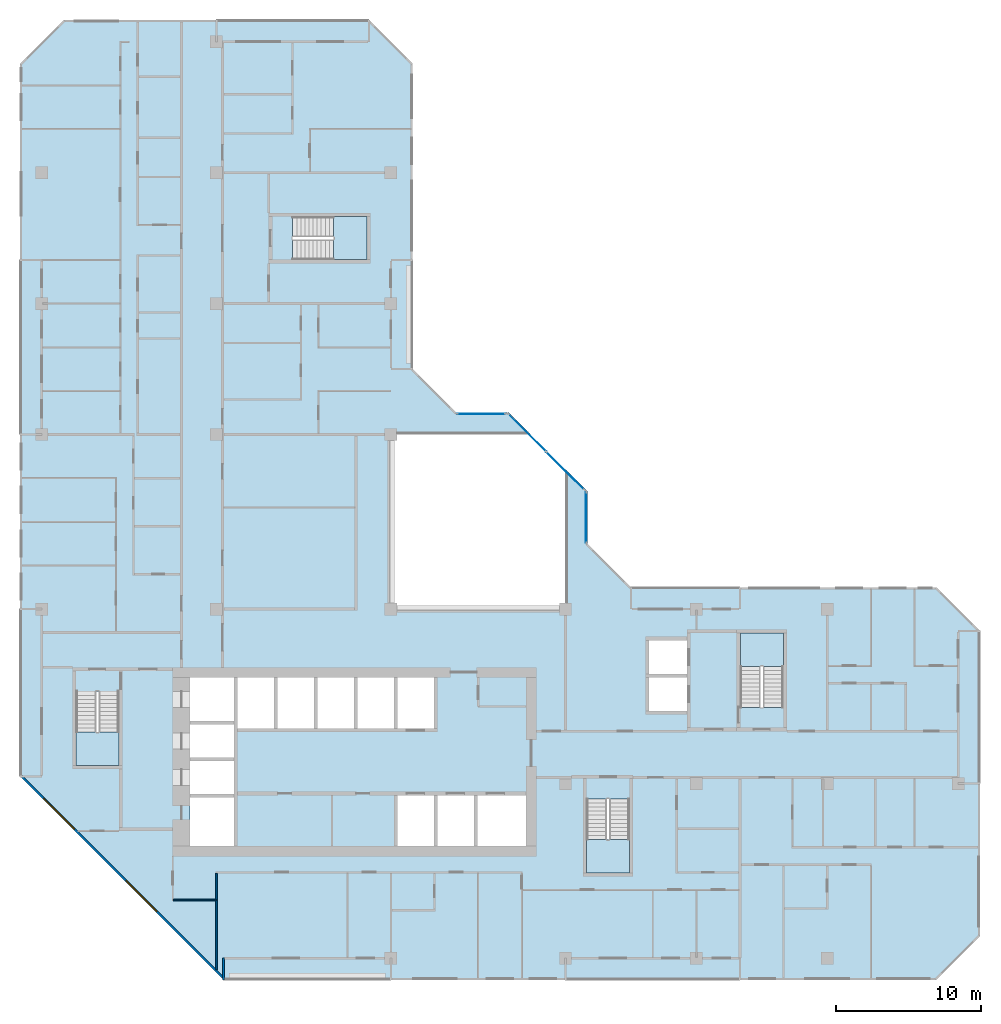
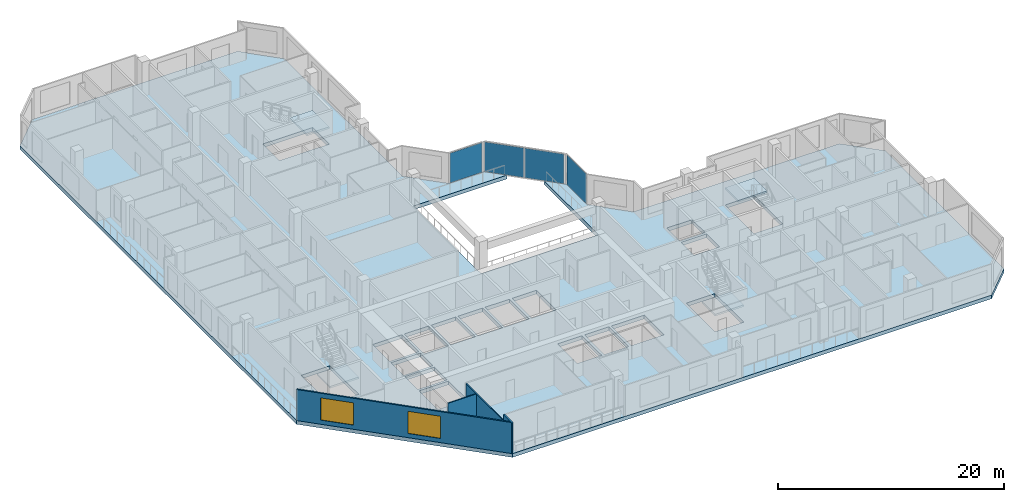
# One storey, part 3 of 15: 5 slabs, 4 plates, 4 walls, 2 windows, 2 openings, 7 elements without a shape of their own.
"""IFC4 building model written with IfcOpenShell, lengths in metres."""

from ifc_helpers import new_model, si_unit, direction, frame, frame_2d, origin, origin_2d, place, context, subcontext, project, spatial, polyline, rectangle, outline, extrude, material, layer, layer_set, type_object, element, fill, aggregate, save


model = new_model("IFC4")

# Units and contexts
model_context = context("Model", 3, precision=1e-05, world=origin(), true_north=direction((0.0, 1.0)))
body_context = subcontext(model_context, "Body", "Model", "MODEL_VIEW")
ifc_project = project(units=[si_unit("LENGTHUNIT", "METRE"), si_unit("AREAUNIT", "SQUARE_METRE"), si_unit("VOLUMEUNIT", "CUBIC_METRE"), si_unit("PLANEANGLEUNIT", "RADIAN"), si_unit("MASSUNIT", "GRAM", prefix="KILO")], contexts=[model_context])

# Site, building, storey
site_placement = place(None, origin())
site = spatial("IfcSite", under=ifc_project, at=site_placement, CompositionType="ELEMENT")
building_placement = place(site_placement, origin())
building = spatial("IfcBuilding", under=site, at=building_placement, Name="Chenar Terraces", CompositionType="ELEMENT")
storey_placement = place(building_placement, frame((0.0, 0.0, 249.14990234375)))
storey = spatial("IfcBuildingStorey", under=building, at=storey_placement, Name="L59", CompositionType="ELEMENT", Elevation=249.14990234375)

# Curtain wall, plate
ifc_material_1 = material(Name="Aluminium framed glazing", Category="aluminium")
ifc_layer_1 = layer(ifc_material_1, 0.14990234375)
ifc_layer_set_1 = layer_set([ifc_layer_1], Name="Aluminium framed glazing")
curtain_wall_type = type_object("IfcCurtainWallType", Name="Atrium mid-zone curtain wall", PredefinedType="NOTDEFINED", material=ifc_layer_set_1)
placement_1 = place(storey_placement, origin())
curtain_wall_1 = element("IfcCurtainWall", 1, at=placement_1, inside=storey, type_object=curtain_wall_type, Name="Atrium mid-zone curtain wall", PredefinedType="NOTDEFINED")
ifc_material_2 = material(Name="Low emissivity laminated glass, solar control coating", Category="glass")
ifc_layer_2 = layer(ifc_material_2, 0.031982421875)
ifc_layer_set_2 = layer_set([ifc_layer_2], Name="Low emissivity laminated glass, solar control coating")
plate_type = type_object("IfcPlateType", Name="Atrium mid-zone glazing panel 32", PredefinedType="CURTAIN_PANEL", material=ifc_layer_set_2)
plate_1_placement = place(storey_placement, frame((37.425048828125, 30.300048828125, 0.070068359375), z_axis=(0.0, 0.0, 1.0), x_axis=(0.0, 1.0, 0.0)))
plate_1 = element("IfcPlate", 2, at=plate_1_placement, type_object=plate_type, Name="CW7-1 panel 1.1", PredefinedType="CURTAIN_PANEL", context=body_context, shape_type="SweptSolid", body=[
    extrude(rectangle(XDim=3.4599609375, YDim=0.031982421875, at=origin_2d()), origin(), (0.0, 0.0, 1.0), 3.2099609375),
])
aggregate(curtain_wall_1, [plate_1])

# Curtain wall, plates
curtain_wall_2 = element("IfcCurtainWall", 3, at=placement_1, inside=storey, type_object=curtain_wall_type, Name="Atrium mid-zone curtain wall", PredefinedType="NOTDEFINED")
plate_2_placement = place(storey_placement, frame((35.978515625, 33.515380859375, 0.070068359375), z_axis=(0.0, 0.0, 1.0), x_axis=(-0.707106781187, 0.707106781187, 0.0)))
plate_2 = element("IfcPlate", 4, at=plate_2_placement, type_object=plate_type, Name="CW7-2 panel 1.1", PredefinedType="CURTAIN_PANEL", context=body_context, shape_type="SweptSolid", body=[
    extrude(rectangle(XDim=3.61328125, YDim=0.031982421875, at=origin_2d()), origin(), (0.0, 0.0, 1.0), 3.2099609375),
])
plate_3_placement = place(storey_placement, frame((33.3740234375, 36.119873046875, 0.070068359375), z_axis=(0.0, 0.0, 1.0), x_axis=(-0.707106781187, 0.707106781187, 0.0)))
plate_3 = element("IfcPlate", 5, at=plate_3_placement, type_object=plate_type, Name="CW7-2 panel 2.1", PredefinedType="CURTAIN_PANEL", context=body_context, shape_type="SweptSolid", body=[
    extrude(rectangle(XDim=3.61328125, YDim=0.031982421875, at=origin_2d()), origin(), (0.0, 0.0, 1.0), 3.2099609375),
])
aggregate(curtain_wall_2, [plate_2, plate_3])

# Curtain wall, plate
curtain_wall_3 = element("IfcCurtainWall", 6, at=placement_1, inside=storey, type_object=curtain_wall_type, Name="Atrium mid-zone curtain wall", PredefinedType="NOTDEFINED")
plate_4_placement = place(storey_placement, frame((30.199951171875, 37.425048828125, 0.070068359375), z_axis=(0.0, 0.0, 1.0), x_axis=(-1.0, 0.0, 0.0)))
plate_4 = element("IfcPlate", 7, at=plate_4_placement, type_object=plate_type, Name="CW7-3 panel 1.1", PredefinedType="CURTAIN_PANEL", context=body_context, shape_type="SweptSolid", body=[
    extrude(rectangle(XDim=3.260009765625, YDim=0.031982421875, at=origin_2d()), origin(), (0.0, 0.0, 1.0), 3.2099609375),
])
aggregate(curtain_wall_3, [plate_4])

# Stair, slab
ifc_material_3 = material(Name="Reinforced concrete C40/50", Category="concrete")
stair_type = type_object("IfcStairType", Name="Core stair 1400 half-turn", PredefinedType="HALF_TURN_STAIR", material=ifc_material_3)
stair_1 = element("IfcStair", 8, at=placement_1, inside=storey, type_object=stair_type, Name="L59 Stair 1", PredefinedType="HALF_TURN_STAIR")
ifc_material_4 = material(Name="Reinforced concrete C40/50", Category="concrete")
ifc_layer_3 = layer(ifc_material_4, 0.199951171875)
ifc_layer_set_3 = layer_set([ifc_layer_3], Name="Reinforced concrete C40/50")
slab_type_1 = type_object("IfcSlabType", Name="Core stair landing 200", PredefinedType="LANDING", material=ifc_layer_set_3)
placement_2 = place(storey_placement, frame((0.0, 0.0, 1.675048828125)))
slab_1 = element("IfcSlab", 9, at=placement_2, type_object=slab_type_1, Name="ST1 landing 1", PredefinedType="LANDING", context=body_context, shape_type="SweptSolid", body=[
    extrude(outline(polyline([(2.35009765625, 15.550048828125), (2.35009765625, 13.25), (5.300048828125, 13.25), (5.300048828125, 15.550048828125), (2.35009765625, 15.550048828125)])), origin(), (0.0, 0.0, 1.0), 0.199951171875),
])
aggregate(stair_1, [slab_1])

stair_2 = element("IfcStair", 10, at=placement_1, inside=storey, type_object=stair_type, Name="L59 Stair 2", PredefinedType="HALF_TURN_STAIR")
slab_2 = element("IfcSlab", 11, at=placement_2, type_object=slab_type_1, Name="ST2 landing 1", PredefinedType="LANDING", context=body_context, shape_type="SweptSolid", body=[
    extrude(outline(polyline([(37.449951171875, 8.14990234375), (37.449951171875, 5.85009765625), (40.39990234375, 5.85009765625), (40.39990234375, 8.14990234375), (37.449951171875, 8.14990234375)])), origin(), (0.0, 0.0, 1.0), 0.199951171875),
])
aggregate(stair_2, [slab_2])

stair_3 = element("IfcStair", 12, at=placement_1, inside=storey, type_object=stair_type, Name="L59 Stair 3", PredefinedType="HALF_TURN_STAIR")
slab_3 = element("IfcSlab", 13, at=placement_2, type_object=slab_type_1, Name="ST3 landing 1", PredefinedType="LANDING", context=body_context, shape_type="SweptSolid", body=[
    extrude(outline(polyline([(50.97509765625, 20.050048828125), (50.97509765625, 22.35009765625), (48.02490234375, 22.35009765625), (48.02490234375, 20.050048828125), (50.97509765625, 20.050048828125)])), origin(), (0.0, 0.0, 1.0), 0.199951171875),
])
aggregate(stair_3, [slab_3])

stair_4 = element("IfcStair", 14, at=placement_1, inside=storey, type_object=stair_type, Name="L59 Stair 4", PredefinedType="HALF_TURN_STAIR")
slab_4 = element("IfcSlab", 15, at=placement_2, type_object=slab_type_1, Name="ST4 landing 1", PredefinedType="LANDING", context=body_context, shape_type="SweptSolid", body=[
    extrude(outline(polyline([(20.050048828125, 48.02490234375), (22.35009765625, 48.02490234375), (22.35009765625, 50.97509765625), (20.050048828125, 50.97509765625), (20.050048828125, 48.02490234375)])), origin(), (0.0, 0.0, 1.0), 0.199951171875),
])
aggregate(stair_4, [slab_4])

# Slab
ifc_material_5 = material(Name="Concrete C40/50", Category="concrete")
ifc_layer_4 = layer(ifc_material_5, 0.39990234375)
ifc_layer_set_4 = layer_set([ifc_layer_4], Name="Concrete C40/50")
slab_type_2 = type_object("IfcSlabType", Name="Floor slab 400 Concrete C40/50", PredefinedType="FLOOR", material=ifc_layer_set_4)
slab_5_placement = place(storey_placement, frame((0.0, 0.0, -0.39990234375)))
element("IfcSlab", 16, at=slab_5_placement, inside=storey, type_object=slab_type_2, Name="Floor slab L59", PredefinedType="FLOOR", context=body_context, shape_type="SweptSolid", body=[
    extrude(outline(polyline([(64.5, 22.5), (64.5, 1.5), (61.5, -1.5), (12.5, -1.5), (-1.5, 12.5), (-1.5, 61.5), (1.5, 64.5), (22.5, 64.5), (25.5, 61.5), (25.5, 40.5), (28.5, 37.5), (32.10009765625, 37.5), (33.60009765625, 36.0), (24.0, 36.0), (24.0, 24.0), (36.0, 24.0), (36.0, 33.60009765625), (37.5, 32.10009765625), (37.5, 28.5), (40.5, 25.5), (61.5, 25.5), (64.5, 22.5)]), holes=[polyline([(13.199951171875, 11.050048828125), (10.199951171875, 11.050048828125), (10.199951171875, 7.699951171875), (13.199951171875, 7.699951171875), (13.199951171875, 11.050048828125)]), polyline([(13.199951171875, 13.550048828125), (10.199951171875, 13.550048828125), (10.199951171875, 11.300048828125), (13.199951171875, 11.300048828125), (13.199951171875, 13.550048828125)]), polyline([(13.199951171875, 16.050048828125), (10.199951171875, 16.050048828125), (10.199951171875, 13.800048828125), (13.199951171875, 13.800048828125), (13.199951171875, 16.050048828125)]), polyline([(2.35009765625, 13.25), (5.300048828125, 13.25), (5.300048828125, 18.35009765625), (2.35009765625, 18.35009765625), (2.35009765625, 13.25)]), polyline([(15.949951171875, 19.300048828125), (13.449951171875, 19.300048828125), (13.449951171875, 15.800048828125), (15.949951171875, 15.800048828125), (15.949951171875, 19.300048828125)]), polyline([(18.699951171875, 19.300048828125), (16.199951171875, 19.300048828125), (16.199951171875, 15.800048828125), (18.699951171875, 15.800048828125), (18.699951171875, 19.300048828125)]), polyline([(21.449951171875, 19.300048828125), (18.949951171875, 19.300048828125), (18.949951171875, 15.800048828125), (21.449951171875, 15.800048828125), (21.449951171875, 19.300048828125)]), polyline([(24.199951171875, 15.800048828125), (24.199951171875, 19.300048828125), (21.699951171875, 19.300048828125), (21.699951171875, 15.800048828125), (24.199951171875, 15.800048828125)]), polyline([(13.199951171875, 16.300048828125), (13.199951171875, 19.300048828125), (10.199951171875, 19.300048828125), (10.199951171875, 16.300048828125), (13.199951171875, 16.300048828125)]), polyline([(22.35009765625, 48.02490234375), (22.35009765625, 50.97509765625), (17.25, 50.97509765625), (17.25, 48.02490234375), (22.35009765625, 48.02490234375)]), polyline([(37.449951171875, 5.85009765625), (40.39990234375, 5.85009765625), (40.39990234375, 10.949951171875), (37.449951171875, 10.949951171875), (37.449951171875, 5.85009765625)]), polyline([(26.949951171875, 11.199951171875), (24.449951171875, 11.199951171875), (24.449951171875, 7.699951171875), (26.949951171875, 7.699951171875), (26.949951171875, 11.199951171875)]), polyline([(29.699951171875, 7.699951171875), (29.699951171875, 11.199951171875), (27.199951171875, 11.199951171875), (27.199951171875, 7.699951171875), (29.699951171875, 7.699951171875)]), polyline([(33.300048828125, 7.699951171875), (33.300048828125, 11.199951171875), (29.949951171875, 11.199951171875), (29.949951171875, 7.699951171875), (33.300048828125, 7.699951171875)]), polyline([(26.949951171875, 19.300048828125), (24.449951171875, 19.300048828125), (24.449951171875, 15.800048828125), (26.949951171875, 15.800048828125), (26.949951171875, 19.300048828125)]), polyline([(44.35009765625, 19.300048828125), (41.75, 19.300048828125), (41.75, 17.0), (44.35009765625, 17.0), (44.35009765625, 19.300048828125)]), polyline([(50.97509765625, 22.35009765625), (48.02490234375, 22.35009765625), (48.02490234375, 17.25), (50.97509765625, 17.25), (50.97509765625, 22.35009765625)]), polyline([(44.35009765625, 19.550048828125), (44.35009765625, 21.85009765625), (41.75, 21.85009765625), (41.75, 19.550048828125), (44.35009765625, 19.550048828125)])]), origin(), (0.0, 0.0, 1.0), 0.39990234375),
])

# Walls
ifc_material_6 = material(Name="Gypsum board on steel studs", Category="steel")
ifc_layer_5 = layer(ifc_material_6, 0.10009765625)
ifc_layer_set_5 = layer_set([ifc_layer_5], Name="Gypsum board on steel studs")
wall_type_1 = type_object("IfcWallType", Name="Gypsum partition 100", PredefinedType="PARTITIONING", material=ifc_layer_set_5)
wall_1_placement = place(storey_placement, frame((9.050048828125, 4.0, 0.0), z_axis=(0.0, 0.0, 1.0), x_axis=(1.0, 0.0, 0.0)))
element("IfcWall", 17, at=wall_1_placement, inside=storey, type_object=wall_type_1, Name="Partition L59-032", PredefinedType="PARTITIONING", context=body_context, shape_type="SweptSolid", body=[
    extrude(rectangle(XDim=2.89990234375, YDim=0.10009765625, at=frame_2d((1.449951171875, 0.0))), origin(), (0.0, 0.0, 1.0), 3.35009765625),
])
wall_2_placement = place(storey_placement, frame((12.0, -0.787841796875, 0.0), z_axis=(0.0, 0.0, 1.0), x_axis=(0.0, 1.0, 0.0)))
element("IfcWall", 18, at=wall_2_placement, inside=storey, type_object=wall_type_1, Name="Partition L59-035", PredefinedType="PARTITIONING", context=body_context, shape_type="SweptSolid", body=[
    extrude(rectangle(XDim=6.61279296875, YDim=0.10009765625, at=frame_2d((3.306396484375, 0.0))), origin(), (0.0, 0.0, 1.0), 3.35009765625),
])
ifc_material_7 = material(Name="Terracotta cladding on insulated backing", Category="masonry")
ifc_layer_6 = layer(ifc_material_7, 0.14990234375)
ifc_layer_set_6 = layer_set([ifc_layer_6], Name="Terracotta cladding on insulated backing")
wall_type_2 = type_object("IfcWallType", Name="Loggia return wall 150", PredefinedType="SOLIDWALL", material=ifc_layer_set_6)
wall_3_placement = place(storey_placement, frame((12.5, -1.5, 0.0), z_axis=(0.0, 0.0, 1.0), x_axis=(0.0, 1.0, 0.0)))
element("IfcWall", 19, at=wall_3_placement, inside=storey, type_object=wall_type_2, Name="Loggia return wall", PredefinedType="SOLIDWALL", context=body_context, shape_type="SweptSolid", body=[
    extrude(rectangle(XDim=1.5, YDim=0.14990234375, at=frame_2d((0.75, 0.0))), origin(), (0.0, 0.0, 1.0), 3.35009765625),
])

# Wall, openings, windows
ifc_material_8 = material(Name="Terracotta cladding on insulated backing", Category="masonry")
ifc_layer_7 = layer(ifc_material_8, 0.14990234375)
ifc_layer_set_7 = layer_set([ifc_layer_7], Name="Terracotta cladding on insulated backing")
wall_type_3 = type_object("IfcWallType", Name="Terracotta rainscreen wall 150", PredefinedType="SOLIDWALL", material=ifc_layer_set_7)
wall_4_placement = place(storey_placement, frame((-1.447021484375, 12.552978515625, 0.0), z_axis=(0.0, 0.0, 1.0), x_axis=(0.707106781187, -0.707106781187, 0.0)))
wall_4 = element("IfcWall", 20, at=wall_4_placement, inside=storey, type_object=wall_type_3, Name="Terracotta rainscreen wall", PredefinedType="SOLIDWALL", context=body_context, shape_type="SweptSolid", body=[
    extrude(rectangle(XDim=19.799072265625, YDim=0.14990234375, at=frame_2d((9.8994140625, 0.0))), origin(), (0.0, 0.0, 1.0), 3.35009765625),
])
opening_1_placement = place(wall_4_placement, frame((2.21240234375, 0.0, 0.449951171875)))
opening_1 = element("IfcOpeningElement", 21, at=opening_1_placement, cuts=wall_4, Name="Opening W300x240", PredefinedType="OPENING", context=body_context, shape_type="SweptSolid", body=[
    extrude(rectangle(XDim=3.0, YDim=2.39990234375, at=frame_2d((1.5, 1.199951171875))), frame((0.0, 0.0849609375, 0.0), z_axis=(0.0, -1.0, 0.0), x_axis=(1.0, 0.0, 0.0)), (0.0, 0.0, 1.0), 0.169921875),
])
opening_2_placement = place(wall_4_placement, frame((10.215576171875, 0.0, 0.449951171875)))
opening_2 = element("IfcOpeningElement", 22, at=opening_2_placement, cuts=wall_4, Name="Opening W300x240", PredefinedType="OPENING", context=body_context, shape_type="SweptSolid", body=[
    extrude(rectangle(XDim=3.0, YDim=2.39990234375, at=frame_2d((1.5, 1.199951171875))), frame((0.0, 0.0849609375, 0.0), z_axis=(0.0, -1.0, 0.0), x_axis=(1.0, 0.0, 0.0)), (0.0, 0.0, 1.0), 0.169921875),
])
ifc_material_9 = material(Name="Low emissivity double glazing, aluminium frame", Category="aluminium")
window_type = type_object("IfcWindowType", Name="Fixed light 3000 x 2400", PartitioningType="SINGLE_PANEL", PredefinedType="WINDOW", material=ifc_material_9)
window_1_placement = place(opening_1_placement, origin())
window_1 = element("IfcWindow", 23, at=window_1_placement, inside=storey, type_object=window_type, Name="Window", OverallHeight=2.39990234375, OverallWidth=3.0, PartitioningType="SINGLE_PANEL", PredefinedType="WINDOW", context=body_context, shape_type="SweptSolid", body=[
    extrude(rectangle(XDim=3.0, YDim=2.39990234375, at=frame_2d((1.5, 1.199951171875))), frame((0.0, 0.030029296875, 0.0), z_axis=(0.0, -1.0, 0.0), x_axis=(1.0, 0.0, 0.0)), (0.0, 0.0, 1.0), 0.06005859375),
])
fill(opening_1, window_1)
window_2_placement = place(opening_2_placement, origin())
window_2 = element("IfcWindow", 24, at=window_2_placement, inside=storey, type_object=window_type, Name="Window", OverallHeight=2.39990234375, OverallWidth=3.0, PartitioningType="SINGLE_PANEL", PredefinedType="WINDOW", context=body_context, shape_type="SweptSolid", body=[
    extrude(rectangle(XDim=3.0, YDim=2.39990234375, at=frame_2d((1.5, 1.199951171875))), frame((0.0, 0.030029296875, 0.0), z_axis=(0.0, -1.0, 0.0), x_axis=(1.0, 0.0, 0.0)), (0.0, 0.0, 1.0), 0.06005859375),
])
fill(opening_2, window_2)

save(model, "model.ifc")
